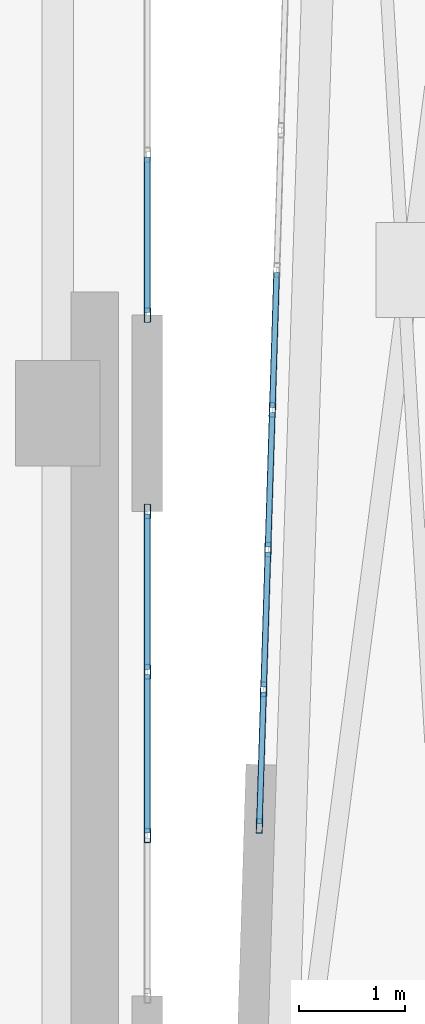
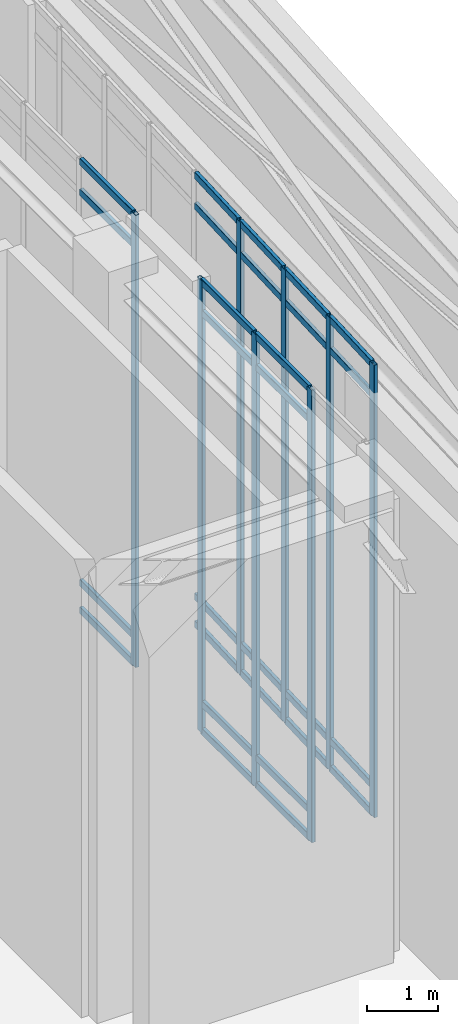
# One storey, part 4 of 12: 36 members, 3 elements without a shape of their own.
"""IFC4 building model written with IfcOpenShell, lengths in metres."""

from ifc_helpers import new_model, si_unit, direction, frame, origin, origin_2d, place, context, subcontext, project, spatial, hollow_rectangle, extrude, material, layer, layer_set, material_profile, profile_set, type_object, element, aggregate, save


model = new_model("IFC4")

# Units and contexts
model_context = context("Model", 3, precision=1e-05, world=origin(), true_north=direction((0.0, 1.0)))
body_context = subcontext(model_context, "Body", "Model", "MODEL_VIEW")
ifc_project = project(units=[si_unit("LENGTHUNIT", "METRE"), si_unit("AREAUNIT", "SQUARE_METRE"), si_unit("VOLUMEUNIT", "CUBIC_METRE"), si_unit("PLANEANGLEUNIT", "RADIAN"), si_unit("MASSUNIT", "GRAM", prefix="KILO")], contexts=[model_context])

# Site, building, storey
site_placement = place(None, origin())
site = spatial("IfcSite", under=ifc_project, at=site_placement, CompositionType="ELEMENT")
building_placement = place(site_placement, origin())
building = spatial("IfcBuilding", under=site, at=building_placement, Name="Ndelora Gate Hotel", CompositionType="ELEMENT")
storey_placement = place(building_placement, frame((0.0, 0.0, 303.60009765625)))
storey = spatial("IfcBuildingStorey", under=building, at=storey_placement, Name="RF1", CompositionType="ELEMENT", Elevation=303.60009765625)

# Curtain wall, members
ifc_material_1 = material(Name="Bronze Anodised Unitised Aluminium and Low-E Glass", Category="aluminium")
ifc_layer = layer(ifc_material_1, 0.199951171875)
ifc_layer_set = layer_set([ifc_layer], Name="Bronze Anodised Unitised Aluminium and Low-E Glass")
curtain_wall_type = type_object("IfcCurtainWallType", Name="CW-SYS-8", PredefinedType="NOTDEFINED", material=ifc_layer_set)
curtain_wall_1_placement = place(storey_placement, origin())
curtain_wall_1 = element("IfcCurtainWall", 1, at=curtain_wall_1_placement, inside=storey, type_object=curtain_wall_type, Name="RF1 Split-Crown West Cleft Lantern Curtain Wall CW8-1", PredefinedType="NOTDEFINED")
ifc_material_2 = material(Name="Bronze Anodised Aluminium 6063-T6", Category="aluminium")
ifc_material_profile_1 = material_profile(ifc_material_2, hollow_rectangle(XDim=0.06005859375, YDim=0.139892578125, WallThickness=0.00390625, InnerFilletRadius=0.00390625, OuterFilletRadius=0.008056640625, at=origin_2d()), Name="ALU 140x60x4")
ifc_profile_set_1 = profile_set([ifc_material_profile_1], Name="Bronze Anodised Aluminium 6063-T6")
member_type_1 = type_object("IfcMemberType", Name="MB-CW-MUL140", PredefinedType="MULLION", material=ifc_profile_set_1)
member_1_placement = place(storey_placement, frame((8.85009765625, -4.0, -0.004150390625), z_axis=(0.0, 0.0, 1.0), x_axis=(-1.0, 0.0, 0.0)))
member_1 = element("IfcMember", 2, at=member_1_placement, type_object=member_type_1, Name="CW8 mullion 2", PredefinedType="MULLION", context=body_context, shape_type="SweptSolid", body=[
    extrude(hollow_rectangle(XDim=0.06005859375, YDim=0.139892578125, WallThickness=0.00390625, InnerFilletRadius=0.00390625, OuterFilletRadius=0.008056640625, at=origin_2d()), origin(), (0.0, 0.0, 1.0), 7.72802734375),
])
member_2_placement = place(storey_placement, frame((8.85009765625, -2.449951171875, -0.004150390625), z_axis=(0.0, 0.0, 1.0), x_axis=(-1.0, 0.0, 0.0)))
member_2 = element("IfcMember", 3, at=member_2_placement, type_object=member_type_1, Name="CW8 mullion 3", PredefinedType="MULLION", context=body_context, shape_type="SweptSolid", body=[
    extrude(hollow_rectangle(XDim=0.06005859375, YDim=0.139892578125, WallThickness=0.00390625, InnerFilletRadius=0.00390625, OuterFilletRadius=0.008056640625, at=origin_2d()), origin(), (0.0, 0.0, 1.0), 7.72802734375),
])
member_3_placement = place(storey_placement, frame((8.85009765625, -0.929931640625, -0.004150390625), z_axis=(0.0, 0.0, 1.0), x_axis=(-1.0, 0.0, 0.0)))
member_3 = element("IfcMember", 4, at=member_3_placement, type_object=member_type_1, Name="CW8 mullion 4", PredefinedType="MULLION", context=body_context, shape_type="SweptSolid", body=[
    extrude(hollow_rectangle(XDim=0.06005859375, YDim=0.139892578125, WallThickness=0.00390625, InnerFilletRadius=0.00390625, OuterFilletRadius=0.008056640625, at=origin_2d()), origin(), (0.0, 0.0, 1.0), 7.72802734375),
])

# Curtain wall, member
curtain_wall_2_placement = place(storey_placement, origin())
curtain_wall_2 = element("IfcCurtainWall", 5, at=curtain_wall_2_placement, inside=storey, type_object=curtain_wall_type, Name="RF1 Split-Crown West Cleft Lantern Curtain Wall CW8-2", PredefinedType="NOTDEFINED")
member_4_placement = place(storey_placement, frame((8.85009765625, 0.929931640625, -0.004150390625), z_axis=(0.0, 0.0, 1.0), x_axis=(-1.0, 0.0, 0.0)))
member_4 = element("IfcMember", 6, at=member_4_placement, type_object=member_type_1, Name="CW8 mullion 1", PredefinedType="MULLION", context=body_context, shape_type="SweptSolid", body=[
    extrude(hollow_rectangle(XDim=0.06005859375, YDim=0.139892578125, WallThickness=0.00390625, InnerFilletRadius=0.00390625, OuterFilletRadius=0.008056640625, at=origin_2d()), origin(), (0.0, 0.0, 1.0), 7.72802734375),
])

# Curtain wall, members
curtain_wall_3_placement = place(storey_placement, origin())
curtain_wall_3 = element("IfcCurtainWall", 7, at=curtain_wall_3_placement, inside=storey, type_object=curtain_wall_type, Name="RF1 Split-Crown East Cleft Lantern Curtain Wall CW8", PredefinedType="NOTDEFINED")
member_5_placement = place(storey_placement, frame((10.03369140625, 0.0322265625, -0.004150390625), z_axis=(0.0, 0.0, 1.0), x_axis=(0.999515302198, -0.031131345484, 0.0)))
member_5 = element("IfcMember", 8, at=member_5_placement, type_object=member_type_1, Name="CW8 mullion 6", PredefinedType="MULLION", context=body_context, shape_type="SweptSolid", body=[
    extrude(hollow_rectangle(XDim=0.06005859375, YDim=0.139892578125, WallThickness=0.00390625, InnerFilletRadius=0.00390625, OuterFilletRadius=0.008056640625, at=origin_2d()), origin(), (0.0, 0.0, 1.0), 7.72802734375),
])
member_6_placement = place(storey_placement, frame((9.992431640625, -1.291748046875, -0.004150390625), z_axis=(0.0, 0.0, 1.0), x_axis=(0.999515302198, -0.031131345484, 0.0)))
member_6 = element("IfcMember", 9, at=member_6_placement, type_object=member_type_1, Name="CW8 mullion 7", PredefinedType="MULLION", context=body_context, shape_type="SweptSolid", body=[
    extrude(hollow_rectangle(XDim=0.06005859375, YDim=0.139892578125, WallThickness=0.00390625, InnerFilletRadius=0.00390625, OuterFilletRadius=0.008056640625, at=origin_2d()), origin(), (0.0, 0.0, 1.0), 7.72802734375),
])
member_7_placement = place(storey_placement, frame((9.951171875, -2.61572265625, -0.004150390625), z_axis=(0.0, 0.0, 1.0), x_axis=(0.999515302198, -0.031131345484, 0.0)))
member_7 = element("IfcMember", 10, at=member_7_placement, type_object=member_type_1, Name="CW8 mullion 8", PredefinedType="MULLION", context=body_context, shape_type="SweptSolid", body=[
    extrude(hollow_rectangle(XDim=0.06005859375, YDim=0.139892578125, WallThickness=0.00390625, InnerFilletRadius=0.00390625, OuterFilletRadius=0.008056640625, at=origin_2d()), origin(), (0.0, 0.0, 1.0), 7.72802734375),
])
member_8_placement = place(storey_placement, frame((9.910888671875, -3.90966796875, -0.004150390625), z_axis=(0.0, 0.0, 1.0), x_axis=(0.999515302198, -0.031131345484, 0.0)))
member_8 = element("IfcMember", 11, at=member_8_placement, type_object=member_type_1, Name="CW8 mullion 9", PredefinedType="MULLION", context=body_context, shape_type="SweptSolid", body=[
    extrude(hollow_rectangle(XDim=0.06005859375, YDim=0.139892578125, WallThickness=0.00390625, InnerFilletRadius=0.00390625, OuterFilletRadius=0.008056640625, at=origin_2d()), origin(), (0.0, 0.0, 1.0), 7.72802734375),
])

# Member
ifc_material_profile_2 = material_profile(ifc_material_2, hollow_rectangle(XDim=0.06005859375, YDim=0.1201171875, WallThickness=0.00390625, InnerFilletRadius=0.00390625, OuterFilletRadius=0.008056640625, at=origin_2d()), Name="ALU 120x60x4")
ifc_profile_set_2 = profile_set([ifc_material_profile_2], Name="Bronze Anodised Aluminium 6063-T6")
member_type_2 = type_object("IfcMemberType", Name="MB-CW-TRN120", PredefinedType="USERDEFINED", material=ifc_profile_set_2)
member_9_placement = place(storey_placement, frame((8.85009765625, -3.97607421875, 0.02978515625), z_axis=(0.0, 1.0, 0.0), x_axis=(-1.0, 0.0, 0.0)))
member_9 = element("IfcMember", 12, at=member_9_placement, type_object=member_type_2, Name="CW8 transom 2.1", ObjectType="TRANSOM", PredefinedType="USERDEFINED", context=body_context, shape_type="SweptSolid", body=[
    extrude(hollow_rectangle(XDim=0.06005859375, YDim=0.1201171875, WallThickness=0.00390625, InnerFilletRadius=0.00390625, OuterFilletRadius=0.008056640625, at=origin_2d()), origin(), (0.0, 0.0, 1.0), 1.501953125),
])

member_10_placement = place(storey_placement, frame((8.85009765625, -3.97607421875, 0.5), z_axis=(0.0, 1.0, 0.0), x_axis=(-1.0, 0.0, 0.0)))
member_10 = element("IfcMember", 13, at=member_10_placement, type_object=member_type_2, Name="CW8 transom 2.2", ObjectType="TRANSOM", PredefinedType="USERDEFINED", context=body_context, shape_type="SweptSolid", body=[
    extrude(hollow_rectangle(XDim=0.06005859375, YDim=0.1201171875, WallThickness=0.00390625, InnerFilletRadius=0.00390625, OuterFilletRadius=0.008056640625, at=origin_2d()), origin(), (0.0, 0.0, 1.0), 1.501953125),
])

member_11_placement = place(storey_placement, frame((8.85009765625, -3.97607421875, 7.169921875), z_axis=(0.0, 1.0, 0.0), x_axis=(-1.0, 0.0, 0.0)))
member_11 = element("IfcMember", 14, at=member_11_placement, type_object=member_type_2, Name="CW8 transom 2.3", ObjectType="TRANSOM", PredefinedType="USERDEFINED", context=body_context, shape_type="SweptSolid", body=[
    extrude(hollow_rectangle(XDim=0.06005859375, YDim=0.1201171875, WallThickness=0.00390625, InnerFilletRadius=0.00390625, OuterFilletRadius=0.008056640625, at=origin_2d()), origin(), (0.0, 0.0, 1.0), 1.501953125),
])

member_12_placement = place(storey_placement, frame((8.85009765625, -3.97607421875, 7.68994140625), z_axis=(0.0, 1.0, 0.0), x_axis=(-1.0, 0.0, 0.0)))
member_12 = element("IfcMember", 15, at=member_12_placement, type_object=member_type_2, Name="CW8 transom 2.4", ObjectType="TRANSOM", PredefinedType="USERDEFINED", context=body_context, shape_type="SweptSolid", body=[
    extrude(hollow_rectangle(XDim=0.06005859375, YDim=0.1201171875, WallThickness=0.00390625, InnerFilletRadius=0.00390625, OuterFilletRadius=0.008056640625, at=origin_2d()), origin(), (0.0, 0.0, 1.0), 1.501953125),
])

member_13_placement = place(storey_placement, frame((8.85009765625, -2.426025390625, 0.02978515625), z_axis=(0.0, 1.0, 0.0), x_axis=(-1.0, 0.0, 0.0)))
member_13 = element("IfcMember", 16, at=member_13_placement, type_object=member_type_2, Name="CW8 transom 3.1", ObjectType="TRANSOM", PredefinedType="USERDEFINED", context=body_context, shape_type="SweptSolid", body=[
    extrude(hollow_rectangle(XDim=0.06005859375, YDim=0.1201171875, WallThickness=0.00390625, InnerFilletRadius=0.00390625, OuterFilletRadius=0.008056640625, at=origin_2d()), origin(), (0.0, 0.0, 1.0), 1.471923828125),
])

member_14_placement = place(storey_placement, frame((8.85009765625, -2.426025390625, 0.5), z_axis=(0.0, 1.0, 0.0), x_axis=(-1.0, 0.0, 0.0)))
member_14 = element("IfcMember", 17, at=member_14_placement, type_object=member_type_2, Name="CW8 transom 3.2", ObjectType="TRANSOM", PredefinedType="USERDEFINED", context=body_context, shape_type="SweptSolid", body=[
    extrude(hollow_rectangle(XDim=0.06005859375, YDim=0.1201171875, WallThickness=0.00390625, InnerFilletRadius=0.00390625, OuterFilletRadius=0.008056640625, at=origin_2d()), origin(), (0.0, 0.0, 1.0), 1.471923828125),
])

member_15_placement = place(storey_placement, frame((8.85009765625, -2.426025390625, 7.169921875), z_axis=(0.0, 1.0, 0.0), x_axis=(-1.0, 0.0, 0.0)))
member_15 = element("IfcMember", 18, at=member_15_placement, type_object=member_type_2, Name="CW8 transom 3.3", ObjectType="TRANSOM", PredefinedType="USERDEFINED", context=body_context, shape_type="SweptSolid", body=[
    extrude(hollow_rectangle(XDim=0.06005859375, YDim=0.1201171875, WallThickness=0.00390625, InnerFilletRadius=0.00390625, OuterFilletRadius=0.008056640625, at=origin_2d()), origin(), (0.0, 0.0, 1.0), 1.471923828125),
])

member_16_placement = place(storey_placement, frame((8.85009765625, -2.426025390625, 7.68994140625), z_axis=(0.0, 1.0, 0.0), x_axis=(-1.0, 0.0, 0.0)))
member_16 = element("IfcMember", 19, at=member_16_placement, type_object=member_type_2, Name="CW8 transom 3.4", ObjectType="TRANSOM", PredefinedType="USERDEFINED", context=body_context, shape_type="SweptSolid", body=[
    extrude(hollow_rectangle(XDim=0.06005859375, YDim=0.1201171875, WallThickness=0.00390625, InnerFilletRadius=0.00390625, OuterFilletRadius=0.008056640625, at=origin_2d()), origin(), (0.0, 0.0, 1.0), 1.471923828125),
])

aggregate(curtain_wall_1, [member_1, member_2, member_3, member_9, member_10, member_11, member_12, member_13, member_14, member_15, member_16])

member_17_placement = place(storey_placement, frame((8.85009765625, 0.9541015625, 0.02978515625), z_axis=(0.0, 1.0, 0.0), x_axis=(-1.0, 0.0, 0.0)))
member_17 = element("IfcMember", 20, at=member_17_placement, type_object=member_type_2, Name="CW8 transom 1.1", ObjectType="TRANSOM", PredefinedType="USERDEFINED", context=body_context, shape_type="SweptSolid", body=[
    extrude(hollow_rectangle(XDim=0.06005859375, YDim=0.1201171875, WallThickness=0.00390625, InnerFilletRadius=0.00390625, OuterFilletRadius=0.008056640625, at=origin_2d()), origin(), (0.0, 0.0, 1.0), 1.471923828125),
])

member_18_placement = place(storey_placement, frame((8.85009765625, 0.9541015625, 0.5), z_axis=(0.0, 1.0, 0.0), x_axis=(-1.0, 0.0, 0.0)))
member_18 = element("IfcMember", 21, at=member_18_placement, type_object=member_type_2, Name="CW8 transom 1.2", ObjectType="TRANSOM", PredefinedType="USERDEFINED", context=body_context, shape_type="SweptSolid", body=[
    extrude(hollow_rectangle(XDim=0.06005859375, YDim=0.1201171875, WallThickness=0.00390625, InnerFilletRadius=0.00390625, OuterFilletRadius=0.008056640625, at=origin_2d()), origin(), (0.0, 0.0, 1.0), 1.471923828125),
])

member_19_placement = place(storey_placement, frame((8.85009765625, 0.9541015625, 7.169921875), z_axis=(0.0, 1.0, 0.0), x_axis=(-1.0, 0.0, 0.0)))
member_19 = element("IfcMember", 22, at=member_19_placement, type_object=member_type_2, Name="CW8 transom 1.3", ObjectType="TRANSOM", PredefinedType="USERDEFINED", context=body_context, shape_type="SweptSolid", body=[
    extrude(hollow_rectangle(XDim=0.06005859375, YDim=0.1201171875, WallThickness=0.00390625, InnerFilletRadius=0.00390625, OuterFilletRadius=0.008056640625, at=origin_2d()), origin(), (0.0, 0.0, 1.0), 1.471923828125),
])

member_20_placement = place(storey_placement, frame((8.85009765625, 0.9541015625, 7.68994140625), z_axis=(0.0, 1.0, 0.0), x_axis=(-1.0, 0.0, 0.0)))
member_20 = element("IfcMember", 23, at=member_20_placement, type_object=member_type_2, Name="CW8 transom 1.4", ObjectType="TRANSOM", PredefinedType="USERDEFINED", context=body_context, shape_type="SweptSolid", body=[
    extrude(hollow_rectangle(XDim=0.06005859375, YDim=0.1201171875, WallThickness=0.00390625, InnerFilletRadius=0.00390625, OuterFilletRadius=0.008056640625, at=origin_2d()), origin(), (0.0, 0.0, 1.0), 1.471923828125),
])

aggregate(curtain_wall_2, [member_4, member_17, member_18, member_19, member_20])

member_21_placement = place(storey_placement, frame((10.07421875, 1.332275390625, 0.02978515625), z_axis=(-0.031169084092, -0.999514126062, 0.0), x_axis=(0.999514126062, -0.031169084092, 0.0)))
member_21 = element("IfcMember", 24, at=member_21_placement, type_object=member_type_2, Name="CW8 transom 5.1", ObjectType="TRANSOM", PredefinedType="USERDEFINED", context=body_context, shape_type="SweptSolid", body=[
    extrude(hollow_rectangle(XDim=0.06005859375, YDim=0.1201171875, WallThickness=0.00390625, InnerFilletRadius=0.00390625, OuterFilletRadius=0.008056640625, at=origin_2d()), origin(), (0.0, 0.0, 1.0), 1.27685546875),
])

member_22_placement = place(storey_placement, frame((10.07421875, 1.332275390625, 0.5), z_axis=(-0.031169084092, -0.999514126062, 0.0), x_axis=(0.999514126062, -0.031169084092, 0.0)))
member_22 = element("IfcMember", 25, at=member_22_placement, type_object=member_type_2, Name="CW8 transom 5.2", ObjectType="TRANSOM", PredefinedType="USERDEFINED", context=body_context, shape_type="SweptSolid", body=[
    extrude(hollow_rectangle(XDim=0.06005859375, YDim=0.1201171875, WallThickness=0.00390625, InnerFilletRadius=0.00390625, OuterFilletRadius=0.008056640625, at=origin_2d()), origin(), (0.0, 0.0, 1.0), 1.27685546875),
])

member_23_placement = place(storey_placement, frame((10.07421875, 1.332275390625, 7.169921875), z_axis=(-0.031169084092, -0.999514126062, 0.0), x_axis=(0.999514126062, -0.031169084092, 0.0)))
member_23 = element("IfcMember", 26, at=member_23_placement, type_object=member_type_2, Name="CW8 transom 5.3", ObjectType="TRANSOM", PredefinedType="USERDEFINED", context=body_context, shape_type="SweptSolid", body=[
    extrude(hollow_rectangle(XDim=0.06005859375, YDim=0.1201171875, WallThickness=0.00390625, InnerFilletRadius=0.00390625, OuterFilletRadius=0.008056640625, at=origin_2d()), origin(), (0.0, 0.0, 1.0), 1.27685546875),
])

member_24_placement = place(storey_placement, frame((10.07421875, 1.332275390625, 7.68994140625), z_axis=(-0.031169084092, -0.999514126062, 0.0), x_axis=(0.999514126062, -0.031169084092, 0.0)))
member_24 = element("IfcMember", 27, at=member_24_placement, type_object=member_type_2, Name="CW8 transom 5.4", ObjectType="TRANSOM", PredefinedType="USERDEFINED", context=body_context, shape_type="SweptSolid", body=[
    extrude(hollow_rectangle(XDim=0.06005859375, YDim=0.1201171875, WallThickness=0.00390625, InnerFilletRadius=0.00390625, OuterFilletRadius=0.008056640625, at=origin_2d()), origin(), (0.0, 0.0, 1.0), 1.27685546875),
])

member_25_placement = place(storey_placement, frame((10.032958984375, 0.00830078125, 0.02978515625), z_axis=(-0.031169084092, -0.999514126062, 0.0), x_axis=(0.999514126062, -0.031169084092, 0.0)))
member_25 = element("IfcMember", 28, at=member_25_placement, type_object=member_type_2, Name="CW8 transom 6.1", ObjectType="TRANSOM", PredefinedType="USERDEFINED", context=body_context, shape_type="SweptSolid", body=[
    extrude(hollow_rectangle(XDim=0.06005859375, YDim=0.1201171875, WallThickness=0.00390625, InnerFilletRadius=0.00390625, OuterFilletRadius=0.008056640625, at=origin_2d()), origin(), (0.0, 0.0, 1.0), 1.27685546875),
])

member_26_placement = place(storey_placement, frame((10.032958984375, 0.00830078125, 0.5), z_axis=(-0.031169084092, -0.999514126062, 0.0), x_axis=(0.999514126062, -0.031169084092, 0.0)))
member_26 = element("IfcMember", 29, at=member_26_placement, type_object=member_type_2, Name="CW8 transom 6.2", ObjectType="TRANSOM", PredefinedType="USERDEFINED", context=body_context, shape_type="SweptSolid", body=[
    extrude(hollow_rectangle(XDim=0.06005859375, YDim=0.1201171875, WallThickness=0.00390625, InnerFilletRadius=0.00390625, OuterFilletRadius=0.008056640625, at=origin_2d()), origin(), (0.0, 0.0, 1.0), 1.27685546875),
])

member_27_placement = place(storey_placement, frame((10.032958984375, 0.00830078125, 7.169921875), z_axis=(-0.031169084092, -0.999514126062, 0.0), x_axis=(0.999514126062, -0.031169084092, 0.0)))
member_27 = element("IfcMember", 30, at=member_27_placement, type_object=member_type_2, Name="CW8 transom 6.3", ObjectType="TRANSOM", PredefinedType="USERDEFINED", context=body_context, shape_type="SweptSolid", body=[
    extrude(hollow_rectangle(XDim=0.06005859375, YDim=0.1201171875, WallThickness=0.00390625, InnerFilletRadius=0.00390625, OuterFilletRadius=0.008056640625, at=origin_2d()), origin(), (0.0, 0.0, 1.0), 1.27685546875),
])

member_28_placement = place(storey_placement, frame((10.032958984375, 0.00830078125, 7.68994140625), z_axis=(-0.031169084092, -0.999514126062, 0.0), x_axis=(0.999514126062, -0.031169084092, 0.0)))
member_28 = element("IfcMember", 31, at=member_28_placement, type_object=member_type_2, Name="CW8 transom 6.4", ObjectType="TRANSOM", PredefinedType="USERDEFINED", context=body_context, shape_type="SweptSolid", body=[
    extrude(hollow_rectangle(XDim=0.06005859375, YDim=0.1201171875, WallThickness=0.00390625, InnerFilletRadius=0.00390625, OuterFilletRadius=0.008056640625, at=origin_2d()), origin(), (0.0, 0.0, 1.0), 1.27685546875),
])

member_29_placement = place(storey_placement, frame((9.99169921875, -1.315673828125, 0.02978515625), z_axis=(-0.031169084092, -0.999514126062, 0.0), x_axis=(0.999514126062, -0.031169084092, 0.0)))
member_29 = element("IfcMember", 32, at=member_29_placement, type_object=member_type_2, Name="CW8 transom 7.1", ObjectType="TRANSOM", PredefinedType="USERDEFINED", context=body_context, shape_type="SweptSolid", body=[
    extrude(hollow_rectangle(XDim=0.06005859375, YDim=0.1201171875, WallThickness=0.00390625, InnerFilletRadius=0.00390625, OuterFilletRadius=0.008056640625, at=origin_2d()), origin(), (0.0, 0.0, 1.0), 1.27685546875),
])

member_30_placement = place(storey_placement, frame((9.99169921875, -1.315673828125, 0.5), z_axis=(-0.031169084092, -0.999514126062, 0.0), x_axis=(0.999514126062, -0.031169084092, 0.0)))
member_30 = element("IfcMember", 33, at=member_30_placement, type_object=member_type_2, Name="CW8 transom 7.2", ObjectType="TRANSOM", PredefinedType="USERDEFINED", context=body_context, shape_type="SweptSolid", body=[
    extrude(hollow_rectangle(XDim=0.06005859375, YDim=0.1201171875, WallThickness=0.00390625, InnerFilletRadius=0.00390625, OuterFilletRadius=0.008056640625, at=origin_2d()), origin(), (0.0, 0.0, 1.0), 1.27685546875),
])

member_31_placement = place(storey_placement, frame((9.99169921875, -1.315673828125, 7.169921875), z_axis=(-0.031169084092, -0.999514126062, 0.0), x_axis=(0.999514126062, -0.031169084092, 0.0)))
member_31 = element("IfcMember", 34, at=member_31_placement, type_object=member_type_2, Name="CW8 transom 7.3", ObjectType="TRANSOM", PredefinedType="USERDEFINED", context=body_context, shape_type="SweptSolid", body=[
    extrude(hollow_rectangle(XDim=0.06005859375, YDim=0.1201171875, WallThickness=0.00390625, InnerFilletRadius=0.00390625, OuterFilletRadius=0.008056640625, at=origin_2d()), origin(), (0.0, 0.0, 1.0), 1.27685546875),
])

member_32_placement = place(storey_placement, frame((9.99169921875, -1.315673828125, 7.68994140625), z_axis=(-0.031169084092, -0.999514126062, 0.0), x_axis=(0.999514126062, -0.031169084092, 0.0)))
member_32 = element("IfcMember", 35, at=member_32_placement, type_object=member_type_2, Name="CW8 transom 7.4", ObjectType="TRANSOM", PredefinedType="USERDEFINED", context=body_context, shape_type="SweptSolid", body=[
    extrude(hollow_rectangle(XDim=0.06005859375, YDim=0.1201171875, WallThickness=0.00390625, InnerFilletRadius=0.00390625, OuterFilletRadius=0.008056640625, at=origin_2d()), origin(), (0.0, 0.0, 1.0), 1.27685546875),
])

member_33_placement = place(storey_placement, frame((9.950439453125, -2.6396484375, 0.02978515625), z_axis=(-0.031136932872, -0.999515128155, 0.0), x_axis=(0.999515128155, -0.031136932872, 0.0)))
member_33 = element("IfcMember", 36, at=member_33_placement, type_object=member_type_2, Name="CW8 transom 8.1", ObjectType="TRANSOM", PredefinedType="USERDEFINED", context=body_context, shape_type="SweptSolid", body=[
    extrude(hollow_rectangle(XDim=0.06005859375, YDim=0.1201171875, WallThickness=0.00390625, InnerFilletRadius=0.00390625, OuterFilletRadius=0.008056640625, at=origin_2d()), origin(), (0.0, 0.0, 1.0), 1.24658203125),
])

member_34_placement = place(storey_placement, frame((9.950439453125, -2.6396484375, 0.5), z_axis=(-0.031136932872, -0.999515128155, 0.0), x_axis=(0.999515128155, -0.031136932872, 0.0)))
member_34 = element("IfcMember", 37, at=member_34_placement, type_object=member_type_2, Name="CW8 transom 8.2", ObjectType="TRANSOM", PredefinedType="USERDEFINED", context=body_context, shape_type="SweptSolid", body=[
    extrude(hollow_rectangle(XDim=0.06005859375, YDim=0.1201171875, WallThickness=0.00390625, InnerFilletRadius=0.00390625, OuterFilletRadius=0.008056640625, at=origin_2d()), origin(), (0.0, 0.0, 1.0), 1.24658203125),
])

member_35_placement = place(storey_placement, frame((9.950439453125, -2.6396484375, 7.169921875), z_axis=(-0.031136932872, -0.999515128155, 0.0), x_axis=(0.999515128155, -0.031136932872, 0.0)))
member_35 = element("IfcMember", 38, at=member_35_placement, type_object=member_type_2, Name="CW8 transom 8.3", ObjectType="TRANSOM", PredefinedType="USERDEFINED", context=body_context, shape_type="SweptSolid", body=[
    extrude(hollow_rectangle(XDim=0.06005859375, YDim=0.1201171875, WallThickness=0.00390625, InnerFilletRadius=0.00390625, OuterFilletRadius=0.008056640625, at=origin_2d()), origin(), (0.0, 0.0, 1.0), 1.24658203125),
])

member_36_placement = place(storey_placement, frame((9.950439453125, -2.6396484375, 7.68994140625), z_axis=(-0.031136932872, -0.999515128155, 0.0), x_axis=(0.999515128155, -0.031136932872, 0.0)))
member_36 = element("IfcMember", 39, at=member_36_placement, type_object=member_type_2, Name="CW8 transom 8.4", ObjectType="TRANSOM", PredefinedType="USERDEFINED", context=body_context, shape_type="SweptSolid", body=[
    extrude(hollow_rectangle(XDim=0.06005859375, YDim=0.1201171875, WallThickness=0.00390625, InnerFilletRadius=0.00390625, OuterFilletRadius=0.008056640625, at=origin_2d()), origin(), (0.0, 0.0, 1.0), 1.24658203125),
])

aggregate(curtain_wall_3, [member_5, member_6, member_7, member_8, member_21, member_22, member_23, member_24, member_25, member_26, member_27, member_28, member_29, member_30, member_31, member_32, member_33, member_34, member_35, member_36])

save(model, "model.ifc")
